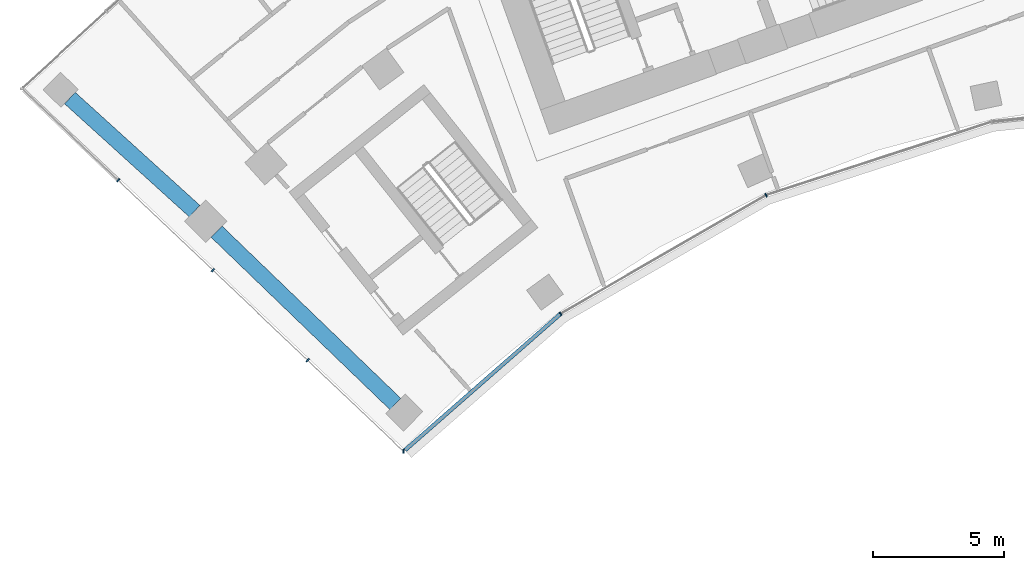
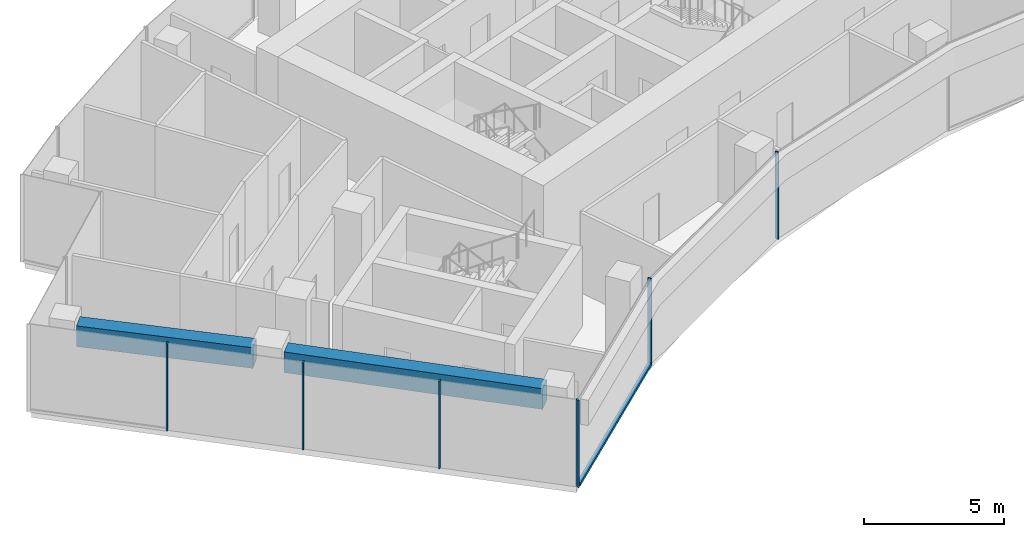
# One storey, part 2 of 19: 7 members, 2 beams, 2 elements without a shape of their own.
"""IFC4 building model written with IfcOpenShell, lengths in metres."""

from ifc_helpers import new_model, si_unit, direction, frame, origin, origin_2d, place, context, subcontext, project, spatial, rectangle, extrude, material, layer, layer_set, material_profile, profile_set, type_object, element, aggregate, save


model = new_model("IFC4")

# Units and contexts
model_context = context("Model", 3, precision=1e-05, world=origin(), true_north=direction((0.0, 1.0)))
body_context = subcontext(model_context, "Body", "Model", "MODEL_VIEW")
ifc_project = project(units=[si_unit("LENGTHUNIT", "METRE"), si_unit("AREAUNIT", "SQUARE_METRE"), si_unit("VOLUMEUNIT", "CUBIC_METRE"), si_unit("PLANEANGLEUNIT", "RADIAN"), si_unit("MASSUNIT", "GRAM", prefix="KILO")], contexts=[model_context])

# Site, building, storey
site_placement = place(None, origin())
site = spatial("IfcSite", under=ifc_project, at=site_placement, CompositionType="ELEMENT")
building_placement = place(site_placement, origin())
building = spatial("IfcBuilding", under=site, at=building_placement, Name="Stone Belt Terrace Tower", CompositionType="ELEMENT")
storey_placement = place(building_placement, frame((0.0, 0.0, 208.60009765625)))
storey = spatial("IfcBuildingStorey", under=building, at=storey_placement, Name="L50", CompositionType="ELEMENT", Elevation=208.60009765625)

# Curtain wall, members
ifc_material_1 = material(Name="Aluminium 6063-T6 anodised frame", Category="aluminium")
ifc_layer_1 = layer(ifc_material_1, 0.14990234375)
ifc_layer_set_1 = layer_set([ifc_layer_1], Name="CW-B unitised concave-face curtain wall")
curtain_wall_type_1 = type_object("IfcCurtainWallType", Name="CW-B unitised concave-face curtain wall", PredefinedType="NOTDEFINED", material=ifc_layer_set_1)
curtain_wall_1_placement = place(storey_placement, origin())
curtain_wall_1 = element("IfcCurtainWall", 1, at=curtain_wall_1_placement, inside=storey, type_object=curtain_wall_type_1, Name="CW-B concave face L50", PredefinedType="NOTDEFINED")
ifc_material_profile_1 = material_profile(ifc_material_1, rectangle(XDim=0.14990234375, YDim=0.050048828125, at=origin_2d()), Name="Aluminium 6063-T6 50x150")
ifc_profile_set_1 = profile_set([ifc_material_profile_1], Name="Aluminium 6063-T6 anodised frame")
member_type_1 = type_object("IfcMemberType", Name="CW-B mullion 50 x 150", PredefinedType="MULLION", material=ifc_profile_set_1)
member_1_placement = place(storey_placement, frame((-31.535888671875, 29.863037109375, 0.0), z_axis=(0.0, 0.0, 1.0), x_axis=(0.020135351708, 0.999797263255, 0.0)))
member_1 = element("IfcMember", 2, at=member_1_placement, type_object=member_type_1, Name="CW-B mullion 1", PredefinedType="MULLION", context=body_context, shape_type="SweptSolid", body=[
    extrude(rectangle(XDim=0.14990234375, YDim=0.050048828125, at=origin_2d()), origin(), (0.0, 0.0, 1.0), 3.7998046875),
])
member_2_placement = place(storey_placement, frame((-25.524658203125, 35.130859375, 0.0), z_axis=(0.0, 0.0, 1.0), x_axis=(-0.582341737817, 0.812944094263, 0.0)))
member_2 = element("IfcMember", 3, at=member_2_placement, type_object=member_type_1, Name="CW-B mullion 2", PredefinedType="MULLION", context=body_context, shape_type="SweptSolid", body=[
    extrude(rectangle(XDim=0.14990234375, YDim=0.050048828125, at=origin_2d()), origin(), (0.0, 0.0, 1.0), 3.7998046875),
])
member_3_placement = place(storey_placement, frame((-17.662353515625, 39.67041015625, 0.0), z_axis=(0.0, 0.0, 1.0), x_axis=(-0.406736643076, 0.913545457643, 0.0)))
member_3 = element("IfcMember", 4, at=member_3_placement, type_object=member_type_1, Name="CW-B mullion 3", PredefinedType="MULLION", context=body_context, shape_type="SweptSolid", body=[
    extrude(rectangle(XDim=0.14990234375, YDim=0.050048828125, at=origin_2d()), origin(), (0.0, 0.0, 1.0), 3.7998046875),
])
ifc_material_profile_2 = material_profile(ifc_material_1, rectangle(XDim=0.14990234375, YDim=0.1201171875, at=origin_2d()), Name="Aluminium 6063-T6 150x120")
ifc_profile_set_2 = profile_set([ifc_material_profile_2], Name="Aluminium 6063-T6 anodised frame")
member_type_2 = type_object("IfcMemberType", Name="CW-B transom 120 x 150", PredefinedType="USERDEFINED", material=ifc_profile_set_2)
member_4_placement = place(storey_placement, frame((-31.48388671875, 29.908447265625, 0.059814453125), z_axis=(0.752060929485, 0.659093588455, 0.0), x_axis=(-0.659093588455, 0.752060929485, 0.0)))
member_4 = element("IfcMember", 5, at=member_4_placement, type_object=member_type_2, Name="CW-B transom 1.1", ObjectType="TRANSOM", PredefinedType="USERDEFINED", context=body_context, shape_type="SweptSolid", body=[
    extrude(rectangle(XDim=0.14990234375, YDim=0.1201171875, at=origin_2d()), origin(), (0.0, 0.0, 1.0), 7.891357421875),
])
aggregate(curtain_wall_1, [member_1, member_2, member_3, member_4])

ifc_layer_2 = layer(ifc_material_1, 0.14990234375)
ifc_layer_set_2 = layer_set([ifc_layer_2], Name="CW-C stick curtain wall, horn ends and notches")
curtain_wall_type_2 = type_object("IfcCurtainWallType", Name="CW-C stick curtain wall, horn ends and notches", PredefinedType="NOTDEFINED", material=ifc_layer_set_2)
curtain_wall_2_placement = place(storey_placement, origin())
curtain_wall_2 = element("IfcCurtainWall", 6, at=curtain_wall_2_placement, inside=storey, type_object=curtain_wall_type_2, Name="CW-C end face L50", PredefinedType="NOTDEFINED")
ifc_material_profile_3 = material_profile(ifc_material_1, rectangle(XDim=0.14990234375, YDim=0.06005859375, at=origin_2d()), Name="Aluminium 6063-T6 60x150")
ifc_profile_set_3 = profile_set([ifc_material_profile_3], Name="Aluminium 6063-T6 anodised frame")
member_type_3 = type_object("IfcMemberType", Name="CW-C mullion 60 x 150", PredefinedType="MULLION", material=ifc_profile_set_3)
member_5_placement = place(storey_placement, frame((-42.459228515625, 40.24267578125, 0.0), z_axis=(0.0, 0.0, 1.0), x_axis=(0.688839705238, 0.72491369175, 0.0)))
member_5 = element("IfcMember", 7, at=member_5_placement, type_object=member_type_3, Name="CW-C mullion 2", PredefinedType="MULLION", context=body_context, shape_type="SweptSolid", body=[
    extrude(rectangle(XDim=0.14990234375, YDim=0.06005859375, at=origin_2d()), origin(), (0.0, 0.0, 1.0), 3.7998046875),
])
member_6_placement = place(storey_placement, frame((-38.83447265625, 36.798583984375, 0.0), z_axis=(0.0, 0.0, 1.0), x_axis=(0.688839705238, 0.72491369175, 0.0)))
member_6 = element("IfcMember", 8, at=member_6_placement, type_object=member_type_3, Name="CW-C mullion 3", PredefinedType="MULLION", context=body_context, shape_type="SweptSolid", body=[
    extrude(rectangle(XDim=0.14990234375, YDim=0.06005859375, at=origin_2d()), origin(), (0.0, 0.0, 1.0), 3.7998046875),
])
member_7_placement = place(storey_placement, frame((-35.2099609375, 33.354248046875, 0.0), z_axis=(0.0, 0.0, 1.0), x_axis=(0.688839705238, 0.72491369175, 0.0)))
member_7 = element("IfcMember", 9, at=member_7_placement, type_object=member_type_3, Name="CW-C mullion 4", PredefinedType="MULLION", context=body_context, shape_type="SweptSolid", body=[
    extrude(rectangle(XDim=0.14990234375, YDim=0.06005859375, at=origin_2d()), origin(), (0.0, 0.0, 1.0), 3.7998046875),
])
aggregate(curtain_wall_2, [member_5, member_6, member_7])

# Beams
ifc_material_2 = material(Name="Concrete B60", Category="concrete")
ifc_material_profile_4 = material_profile(ifc_material_2, rectangle(XDim=0.60009765625, YDim=0.89990234375, at=origin_2d()), Name="RC 600x900")
ifc_profile_set_4 = profile_set([ifc_material_profile_4], Name="Concrete B60")
beam_type = type_object("IfcBeamType", Name="Edge beam RC 600x900 B60", PredefinedType="SPANDREL", material=ifc_profile_set_4)
beam_1_placement = place(storey_placement, frame((-31.849853515625, 31.676513671875, 3.02978515625), z_axis=(-0.720008357079, 0.693965392319, 0.0), x_axis=(-0.693965392319, -0.720008357079, 0.0)))
element("IfcBeam", 10, at=beam_1_placement, inside=storey, type_object=beam_type, Name="Edge beam L50 A P to Q", PredefinedType="SPANDREL", context=body_context, shape_type="SweptSolid", body=[
    extrude(rectangle(XDim=0.60009765625, YDim=0.89990234375, at=origin_2d()), origin(), (0.0, 0.0, 1.0), 9.505859375),
])
beam_2_placement = place(storey_placement, frame((-39.534423828125, 39.05908203125, 3.02978515625), z_axis=(-0.740813729974, 0.671710516132, 0.0), x_axis=(-0.671710516132, -0.740813729974, 0.0)))
element("IfcBeam", 11, at=beam_2_placement, inside=storey, type_object=beam_type, Name="Edge beam L50 A Q to R", PredefinedType="SPANDREL", context=body_context, shape_type="SweptSolid", body=[
    extrude(rectangle(XDim=0.60009765625, YDim=0.89990234375, at=origin_2d()), origin(), (0.0, 0.0, 1.0), 6.444091796875),
])

save(model, "model.ifc")
